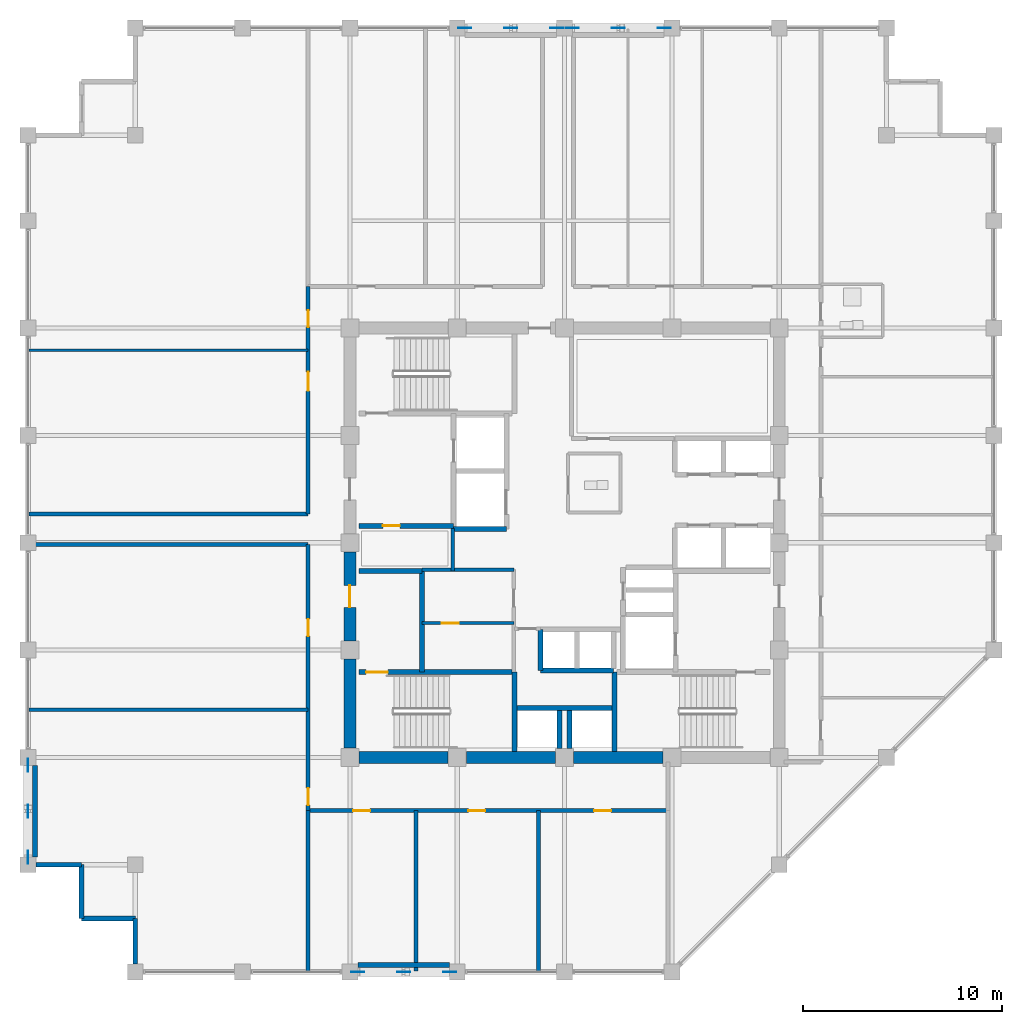
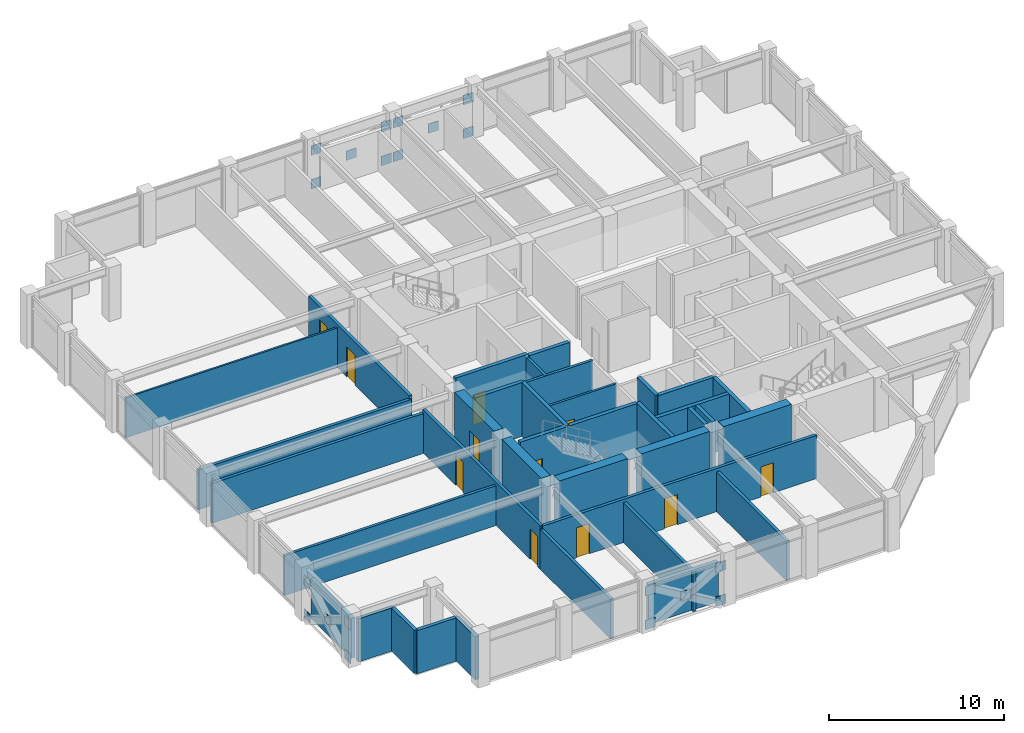
# One storey, part 27 of 32: 36 walls, 20 plates, 11 doors, 11 openings.
"""IFC4 building model written with IfcOpenShell, lengths in metres."""

from ifc_helpers import new_model, si_unit, direction, frame, frame_2d, origin, origin_2d, place, context, subcontext, project, spatial, rectangle, extrude, material, layer, layer_set, type_object, element, fill, save


model = new_model("IFC4")

# Units and contexts
model_context = context("Model", 3, precision=1e-05, world=origin(), true_north=direction((0.0, 1.0)))
body_context = subcontext(model_context, "Body", "Model", "MODEL_VIEW")
ifc_project = project(units=[si_unit("LENGTHUNIT", "METRE"), si_unit("AREAUNIT", "SQUARE_METRE"), si_unit("VOLUMEUNIT", "CUBIC_METRE"), si_unit("PLANEANGLEUNIT", "RADIAN"), si_unit("MASSUNIT", "GRAM", prefix="KILO")], contexts=[model_context])

# Site, building, storey
site_placement = place(None, origin())
site = spatial("IfcSite", under=ifc_project, at=site_placement, CompositionType="ELEMENT")
building_placement = place(site_placement, origin())
building = spatial("IfcBuilding", under=site, at=building_placement, Name="Surkhivell Harbour Commons", CompositionType="ELEMENT")
storey_placement = place(building_placement, frame((0.0, 0.0, 223.5)))
storey = spatial("IfcBuildingStorey", under=building, at=storey_placement, Name="L58", CompositionType="ELEMENT", Elevation=223.5)

# Plates
ifc_material_1 = material(Name="Steel S460", Category="steel")
ifc_layer_1 = layer(ifc_material_1, 0.044921875)
ifc_layer_set_1 = layer_set([ifc_layer_1], Name="Steel S460")
plate_type = type_object("IfcPlateType", Name="PLT-GUS-650", PredefinedType="USERDEFINED", material=ifc_layer_set_1)
for number, where, z_axis, x_axis, name in (
    (1, (-5.014892578125, 25.89990234375, -0.08935546875), (0.0, 0.0, 1.0), (1.0, 0.0, 0.0), "L58 Perimeter Mega-Brace MB- Corner Gusset N-1"),
    (2, (-0.385009765625, 25.89990234375, -0.08935546875), (0.0, 0.0, 1.0), (1.0, 0.0, 0.0), "L58 Perimeter Mega-Brace MB- Corner Gusset N-2"),
    (3, (-5.014892578125, 25.89990234375, 2.25146484375), (0.0, 0.0, 1.0), (1.0, 0.0, 0.0), "L58 Perimeter Mega-Brace MB- Corner Gusset N-3"),
    (4, (-0.385009765625, 25.89990234375, 2.25146484375), (0.0, 0.0, 1.0), (1.0, 0.0, 0.0), "L58 Perimeter Mega-Brace MB- Corner Gusset N-4"),
    (5, (-2.699951171875, 25.89990234375, 1.0810546875), (0.0, 0.0, 1.0), (1.0, 0.0, 0.0), "L58 Perimeter Mega-Brace MB- Central Crossing Gusset N"),
    (6, (0.385009765625, 25.89990234375, -0.08935546875), (0.0, 0.0, 1.0), (1.0, 0.0, 0.0), "L58 Perimeter Mega-Brace MB- Corner Gusset N2-1"),
    (7, (5.014892578125, 25.89990234375, -0.08935546875), (0.0, 0.0, 1.0), (1.0, 0.0, 0.0), "L58 Perimeter Mega-Brace MB- Corner Gusset N2-2"),
    (8, (0.385009765625, 25.89990234375, 2.25146484375), (0.0, 0.0, 1.0), (1.0, 0.0, 0.0), "L58 Perimeter Mega-Brace MB- Corner Gusset N2-3"),
    (9, (5.014892578125, 25.89990234375, 2.25146484375), (0.0, 0.0, 1.0), (1.0, 0.0, 0.0), "L58 Perimeter Mega-Brace MB- Corner Gusset N2-4"),
    (10, (2.699951171875, 25.89990234375, 1.0810546875), (0.0, 0.0, 1.0), (1.0, 0.0, 0.0), "L58 Perimeter Mega-Brace MB- Central Crossing Gusset N2"),
    (11, (-10.4150390625, -21.60009765625, -0.08935546875), (0.0, 0.0, 1.0), (1.0, 0.0, 0.0), "L58 Perimeter Mega-Brace MB- Corner Gusset S-1"),
    (12, (-5.784912109375, -21.60009765625, -0.08935546875), (0.0, 0.0, 1.0), (1.0, 0.0, 0.0), "L58 Perimeter Mega-Brace MB- Corner Gusset S-2"),
    (13, (-10.4150390625, -21.60009765625, 2.25146484375), (0.0, 0.0, 1.0), (1.0, 0.0, 0.0), "L58 Perimeter Mega-Brace MB- Corner Gusset S-3"),
    (14, (-5.784912109375, -21.60009765625, 2.25146484375), (0.0, 0.0, 1.0), (1.0, 0.0, 0.0), "L58 Perimeter Mega-Brace MB- Corner Gusset S-4"),
    (15, (-8.10009765625, -21.60009765625, 1.0810546875), (0.0, 0.0, 1.0), (1.0, 0.0, 0.0), "L58 Perimeter Mega-Brace MB- Central Crossing Gusset S"),
    (16, (-27.0, -15.81494140625, -0.08935546875), (0.0, 0.0, 1.0), (0.0, 1.0, 0.0), "L58 Perimeter Mega-Brace MB- Corner Gusset W-1"),
    (17, (-27.0, -11.18505859375, -0.08935546875), (0.0, 0.0, 1.0), (0.0, 1.0, 0.0), "L58 Perimeter Mega-Brace MB- Corner Gusset W-2"),
    (18, (-27.0, -15.81494140625, 2.25146484375), (0.0, 0.0, 1.0), (0.0, 1.0, 0.0), "L58 Perimeter Mega-Brace MB- Corner Gusset W-3"),
    (19, (-27.0, -11.18505859375, 2.25146484375), (0.0, 0.0, 1.0), (0.0, 1.0, 0.0), "L58 Perimeter Mega-Brace MB- Corner Gusset W-4"),
    (20, (-27.0, -13.5, 1.0810546875), (0.0, 0.0, 1.0), (0.0, 1.0, 0.0), "L58 Perimeter Mega-Brace MB- Central Crossing Gusset W"),
):
    element("IfcPlate", number, at=place(storey_placement, frame(where, z_axis=z_axis, x_axis=x_axis)), inside=storey, type_object=plate_type, Name=name, ObjectType="GUSSET_PLATE", PredefinedType="USERDEFINED", context=body_context, shape_type="SweptSolid", body=[
        extrude(rectangle(XDim=0.64990234375, YDim=0.044921875, at=origin_2d()), origin(), (0.0, 0.0, 1.0), 0.64990234375),
    ])

# Walls
ifc_material_2 = material(Name="Concrete C60/75", Category="concrete")
ifc_layer_2 = layer(ifc_material_2, 0.60009765625)
ifc_layer_set_2 = layer_set([ifc_layer_2], Name="Concrete C60/75")
wall_type_1 = type_object("IfcWallType", Name="WAL-CORE-600", PredefinedType="SHEAR", material=ifc_layer_set_2)
for number, where, z_axis, x_axis, name in (
    (21, (-10.340087890625, -10.800048828125, 0.0), (0.0, 0.0, 1.0), (1.0, 0.0, 0.0), "L58 Core Shear Wall South 1"),
    (22, (-10.800048828125, -10.340087890625, 0.0), (0.0, 0.0, 1.0), (0.0, 1.0, 0.0), "L58 Core Shear Wall West 1"),
    (23, (-4.93994140625, -10.800048828125, 0.0), (0.0, 0.0, 1.0), (1.0, 0.0, 0.0), "L58 Core Shear Wall South 2"),
):
    element("IfcWall", number, at=place(storey_placement, frame(where, z_axis=z_axis, x_axis=x_axis)), inside=storey, type_object=wall_type_1, Name=name, PredefinedType="SHEAR", context=body_context, shape_type="SweptSolid", body=[
        extrude(rectangle(XDim=4.47998046875, YDim=0.60009765625, at=frame_2d((2.239990234375, 0.0))), origin(), (0.0, 0.0, 1.0), 3.75),
    ])

# Wall, opening, door
wall_1_placement = place(storey_placement, frame((-10.800048828125, -4.93994140625, 0.0), z_axis=(0.0, 0.0, 1.0), x_axis=(0.0, 1.0, 0.0)))
wall_1 = element("IfcWall", 24, at=wall_1_placement, inside=storey, type_object=wall_type_1, Name="L58 Core Shear Wall West 2", PredefinedType="SHEAR", context=body_context, shape_type="SweptSolid", body=[
    extrude(rectangle(XDim=4.47998046875, YDim=0.60009765625, at=frame_2d((2.239990234375, 0.0))), origin(), (0.0, 0.0, 1.0), 3.75),
])
opening_1_placement = place(wall_1_placement, frame((1.68994140625, 0.0, 0.0)))
opening_1 = element("IfcOpeningElement", 25, at=opening_1_placement, cuts=wall_1, Name="Opening ID-2", PredefinedType="OPENING", context=body_context, shape_type="SweptSolid", body=[
    extrude(rectangle(XDim=1.10009765625, YDim=2.10009765625, at=frame_2d((0.550048828125, 1.050048828125))), frame((0.0, 0.31005859375, 0.0), z_axis=(0.0, -1.0, 0.0), x_axis=(1.0, 0.0, 0.0)), (0.0, 0.0, 1.0), 0.6201171875),
])
ifc_material_3 = material(Name="Hardwood-veneered fire-rated door leaf", Category="wood")
door_type_1 = type_object("IfcDoorType", Name="DOR-FD60-1100", OperationType="NOTDEFINED", PredefinedType="DOOR", material=ifc_material_3)
door_1_placement = place(opening_1_placement, origin())
door_1 = element("IfcDoor", 26, at=door_1_placement, inside=storey, type_object=door_type_1, Name="L58 Stair 3 Lobby Corridor Door", OperationType="SINGLE_SWING_LEFT", OverallHeight=2.10009765625, OverallWidth=1.10009765625, PredefinedType="DOOR", context=body_context, shape_type="SweptSolid", body=[
    extrude(rectangle(XDim=1.10009765625, YDim=2.10009765625, at=frame_2d((0.550048828125, 1.050048828125))), frame((0.0, 0.02490234375, 0.0), z_axis=(0.0, -1.0, 0.0), x_axis=(1.0, 0.0, 0.0)), (0.0, 0.0, 1.0), 0.050048828125),
])
fill(opening_1, door_1)

# Walls
wall_2_placement = place(storey_placement, frame((0.4599609375, -10.800048828125, 0.0), z_axis=(0.0, 0.0, 1.0), x_axis=(1.0, 0.0, 0.0)))
element("IfcWall", 27, at=wall_2_placement, inside=storey, type_object=wall_type_1, Name="L58 Core Shear Wall South 3", PredefinedType="SHEAR", context=body_context, shape_type="SweptSolid", body=[
    extrude(rectangle(XDim=4.47998046875, YDim=0.60009765625, at=frame_2d((2.239990234375, 0.0))), origin(), (0.0, 0.0, 1.0), 3.75),
])
ifc_material_4 = material(Name="Pale-metal insulated precast concrete C45/55", Category="concrete")
ifc_layer_3 = layer(ifc_material_4, 0.260009765625)
ifc_layer_set_3 = layer_set([ifc_layer_3], Name="Pale-metal insulated precast concrete C45/55")
wall_type_2 = type_object("IfcWallType", Name="WAL-EXT-MTL260", PredefinedType="STANDARD", material=ifc_layer_set_3)
for number, where, z_axis, x_axis, name in (
    (28, (-10.402099609375, -21.239990234375, 0.0), (0.0, 0.0, 1.0), (1.0, 0.0, 0.0), "L58 Braced-Bay Insulated Spandrel Backing S"),
    (29, (-26.639892578125, -11.197998046875, 0.0), (0.0, 0.0, 1.0), (0.0, -1.0, 0.0), "L58 Braced-Bay Insulated Spandrel Backing W"),
):
    element("IfcWall", number, at=place(storey_placement, frame(where, z_axis=z_axis, x_axis=x_axis)), inside=storey, type_object=wall_type_2, Name=name, PredefinedType="STANDARD", context=body_context, shape_type="SweptSolid", body=[
        extrude(rectangle(XDim=4.60400390625, YDim=0.260009765625, at=frame_2d((2.302001953125, 0.0))), origin(), (0.0, 0.0, 1.0), 2.780029296875),
    ])
ifc_material_5 = material(Name="Bronze-ochre cassette precast concrete C45/55", Category="concrete")
ifc_layer_4 = layer(ifc_material_5, 0.239990234375)
ifc_layer_set_4 = layer_set([ifc_layer_4], Name="Bronze-ochre cassette precast concrete C45/55")
wall_type_3 = type_object("IfcWallType", Name="WAL-EXT-OCH240", PredefinedType="STANDARD", material=ifc_layer_set_4)
wall_3_placement = place(storey_placement, frame((-26.60205078125, -16.199951171875, 0.0), z_axis=(0.0, 0.0, 1.0), x_axis=(1.0, 0.0, 0.0)))
element("IfcWall", 30, at=wall_3_placement, inside=storey, type_object=wall_type_3, Name="L58 Serrated Corner Facade Wall 13", PredefinedType="STANDARD", context=body_context, shape_type="SweptSolid", body=[
    extrude(rectangle(XDim=2.302001953125, YDim=0.239990234375, at=frame_2d((1.15087890625, 0.0))), origin(), (0.0, 0.0, 1.0), 3.006103515625),
])
for number, where, z_axis, x_axis, name in (
    (31, (-24.300048828125, -16.199951171875, 0.0), (0.0, 0.0, 1.0), (0.0, -1.0, 0.0), "L58 Serrated Corner Facade Wall 14"),
    (32, (-24.300048828125, -18.89990234375, 0.0), (0.0, 0.0, 1.0), (1.0, 0.0, 0.0), "L58 Serrated Corner Facade Wall 15"),
):
    element("IfcWall", number, at=place(storey_placement, frame(where, z_axis=z_axis, x_axis=x_axis)), inside=storey, type_object=wall_type_3, Name=name, PredefinedType="STANDARD", context=body_context, shape_type="SweptSolid", body=[
        extrude(rectangle(XDim=2.699951171875, YDim=0.239990234375, at=frame_2d((1.35009765625, 0.0))), origin(), (0.0, 0.0, 1.0), 3.006103515625),
    ])
wall_4_placement = place(storey_placement, frame((-21.60009765625, -18.89990234375, 0.0), z_axis=(0.0, 0.0, 1.0), x_axis=(0.0, -1.0, 0.0)))
element("IfcWall", 33, at=wall_4_placement, inside=storey, type_object=wall_type_3, Name="L58 Serrated Corner Facade Wall 16", PredefinedType="STANDARD", context=body_context, shape_type="SweptSolid", body=[
    extrude(rectangle(XDim=2.302001953125, YDim=0.239990234375, at=frame_2d((1.15087890625, 0.0))), origin(), (0.0, 0.0, 1.0), 3.006103515625),
])
ifc_material_6 = material(Name="Moisture-resistant acoustic stud partition", Category="other")
ifc_layer_5 = layer(ifc_material_6, 0.125)
ifc_layer_set_5 = layer_set([ifc_layer_5], Name="Moisture-resistant acoustic stud partition")
wall_type_4 = type_object("IfcWallType", Name="WAL-INT-125", PredefinedType="PARTITIONING", material=ifc_layer_set_5)
wall_5_placement = place(storey_placement, frame((-26.93994140625, 9.68994140625, 0.0), z_axis=(0.0, 0.0, 1.0), x_axis=(1.0, 0.0, 0.0)))
element("IfcWall", 34, at=wall_5_placement, inside=storey, type_object=wall_type_4, Name="L58 North-West Partition P1", PredefinedType="PARTITIONING", context=body_context, shape_type="SweptSolid", body=[
    extrude(rectangle(XDim=14.0400390625, YDim=0.125, at=frame_2d((7.02001953125, 0.0))), origin(), (0.0, 0.0, 1.0), 2.780029296875),
])

# Wall, opening, door
ifc_material_7 = material(Name="Twin-stud acoustic fireboard partition", Category="other")
ifc_layer_6 = layer(ifc_material_7, 0.14990234375)
ifc_layer_set_6 = layer_set([ifc_layer_6], Name="Twin-stud acoustic fireboard partition")
wall_type_5 = type_object("IfcWallType", Name="WAL-INT-150", PredefinedType="PARTITIONING", material=ifc_layer_set_6)
wall_6_placement = place(storey_placement, frame((-7.179931640625, -4.050048828125, 0.0), z_axis=(0.0, 0.0, 1.0), x_axis=(1.0, 0.0, 0.0)))
wall_6 = element("IfcWall", 35, at=wall_6_placement, inside=storey, type_object=wall_type_5, Name="L58 Core Cut A Partition", PredefinedType="PARTITIONING", context=body_context, shape_type="SweptSolid", body=[
    extrude(rectangle(XDim=4.6298828125, YDim=0.14990234375, at=frame_2d((2.31494140625, 0.0))), origin(), (0.0, 0.0, 1.0), 3.570068359375),
])
opening_2_placement = place(wall_6_placement, frame((1.0, 0.0, 0.0)))
opening_2 = element("IfcOpeningElement", 36, at=opening_2_placement, cuts=wall_6, Name="Opening ID-6", PredefinedType="OPENING", context=body_context, shape_type="SweptSolid", body=[
    extrude(rectangle(XDim=0.85009765625, YDim=2.10009765625, at=frame_2d((0.425048828125, 1.050048828125))), frame((0.0, 0.0849609375, 0.0), z_axis=(0.0, -1.0, 0.0), x_axis=(1.0, 0.0, 0.0)), (0.0, 0.0, 1.0), 0.169921875),
])
door_type_2 = type_object("IfcDoorType", Name="DOR-FD30-850", OperationType="NOTDEFINED", PredefinedType="DOOR", material=ifc_material_3)
door_2_placement = place(opening_2_placement, origin())
door_2 = element("IfcDoor", 37, at=door_2_placement, inside=storey, type_object=door_type_2, Name="L58 Linen Room Door", OperationType="SINGLE_SWING_RIGHT", OverallHeight=2.10009765625, OverallWidth=0.85009765625, PredefinedType="DOOR", context=body_context, shape_type="SweptSolid", body=[
    extrude(rectangle(XDim=0.85009765625, YDim=2.10009765625, at=frame_2d((0.425048828125, 1.050048828125))), frame((0.0, 0.02490234375, 0.0), z_axis=(0.0, -1.0, 0.0), x_axis=(1.0, 0.0, 0.0)), (0.0, 0.0, 1.0), 0.050048828125),
])
fill(opening_2, door_2)

# Walls
ifc_material_8 = material(Name="High-density acoustic blockwork fire partition", Category="masonry")
ifc_layer_7 = layer(ifc_material_8, 0.175048828125)
ifc_layer_set_7 = layer_set([ifc_layer_7], Name="High-density acoustic blockwork fire partition")
wall_type_6 = type_object("IfcWallType", Name="WAL-INT-175", PredefinedType="PARTITIONING", material=ifc_layer_set_7)
wall_7_placement = place(storey_placement, frame((-7.179931640625, -1.35009765625, 0.0), z_axis=(0.0, 0.0, 1.0), x_axis=(1.0, 0.0, 0.0)))
element("IfcWall", 38, at=wall_7_placement, inside=storey, type_object=wall_type_6, Name="L58 Core Service Bay North Wall", PredefinedType="PARTITIONING", context=body_context, shape_type="SweptSolid", body=[
    extrude(rectangle(XDim=4.6298828125, YDim=0.175048828125, at=frame_2d((2.31494140625, 0.0))), origin(), (0.0, 0.0, 1.0), 3.570068359375),
])
wall_8_placement = place(storey_placement, frame((-5.6201171875, -1.419921875, 0.0), z_axis=(0.0, 0.0, 1.0), x_axis=(0.0, 1.0, 0.0)))
element("IfcWall", 39, at=wall_8_placement, inside=storey, type_object=wall_type_6, Name="L58 West Core Bay East Wall", PredefinedType="PARTITIONING", context=body_context, shape_type="SweptSolid", body=[
    extrude(rectangle(XDim=2.139892578125, YDim=0.175048828125, at=frame_2d((1.06982421875, 0.0))), origin(), (0.0, 0.0, 1.0), 3.570068359375),
])
wall_9_placement = place(storey_placement, frame((-26.93994140625, -8.39990234375, 0.0), z_axis=(0.0, 0.0, 1.0), x_axis=(1.0, 0.0, 0.0)))
element("IfcWall", 40, at=wall_9_placement, inside=storey, type_object=wall_type_6, Name="L58 South-West Partition P1", PredefinedType="PARTITIONING", context=body_context, shape_type="SweptSolid", body=[
    extrude(rectangle(XDim=14.0400390625, YDim=0.175048828125, at=frame_2d((7.02001953125, 0.0))), origin(), (0.0, 0.0, 1.0), 2.780029296875),
])
ifc_material_9 = material(Name="Autoclaved aerated concrete blockwork and fire plaster", Category="masonry")
ifc_layer_8 = layer(ifc_material_9, 0.199951171875)
ifc_layer_set_8 = layer_set([ifc_layer_8], Name="Autoclaved aerated concrete blockwork and fire plaster")
wall_type_7 = type_object("IfcWallType", Name="WAL-INT-200", PredefinedType="PARTITIONING", material=ifc_layer_set_8)
wall_10_placement = place(storey_placement, frame((-12.89990234375, -21.5400390625, 0.0), z_axis=(0.0, 0.0, 1.0), x_axis=(0.0, 1.0, 0.0)))
element("IfcWall", 41, at=wall_10_placement, inside=storey, type_object=wall_type_7, Name="L58 South-West Corner Wall", PredefinedType="PARTITIONING", context=body_context, shape_type="SweptSolid", body=[
    extrude(rectangle(XDim=8.06005859375, YDim=0.199951171875, at=frame_2d((4.030029296875, 0.0))), origin(), (0.0, 0.0, 1.0), 2.780029296875),
])

# Wall, openings, doors
wall_11_placement = place(storey_placement, frame((-12.89990234375, -13.47998046875, 0.0), z_axis=(0.0, 0.0, 1.0), x_axis=(1.0, 0.0, 0.0)))
wall_11 = element("IfcWall", 42, at=wall_11_placement, inside=storey, type_object=wall_type_7, Name="L58 Corridor South Wall", PredefinedType="PARTITIONING", context=body_context, shape_type="SweptSolid", body=[
    extrude(rectangle(XDim=18.099853515625, YDim=0.199951171875, at=frame_2d((9.0498046875, 0.0))), origin(), (0.0, 0.0, 1.0), 3.006103515625),
])
opening_3_placement = place(wall_11_placement, frame((2.264892578125, 0.0, 0.0)))
opening_3 = element("IfcOpeningElement", 43, at=opening_3_placement, cuts=wall_11, Name="Opening ID-6", PredefinedType="OPENING", context=body_context, shape_type="SweptSolid", body=[
    extrude(rectangle(XDim=0.85009765625, YDim=2.10009765625, at=frame_2d((0.425048828125, 1.050048828125))), frame((0.0, 0.10986328125, 0.0), z_axis=(0.0, -1.0, 0.0), x_axis=(1.0, 0.0, 0.0)), (0.0, 0.0, 1.0), 0.219970703125),
])
opening_4_placement = place(wall_11_placement, frame((8.054931640625, 0.0, 0.0)))
opening_4 = element("IfcOpeningElement", 44, at=opening_4_placement, cuts=wall_11, Name="Opening ID-6", PredefinedType="OPENING", context=body_context, shape_type="SweptSolid", body=[
    extrude(rectangle(XDim=0.85009765625, YDim=2.10009765625, at=frame_2d((0.425048828125, 1.050048828125))), frame((0.0, 0.10986328125, 0.0), z_axis=(0.0, -1.0, 0.0), x_axis=(1.0, 0.0, 0.0)), (0.0, 0.0, 1.0), 0.219970703125),
])
opening_5_placement = place(wall_11_placement, frame((14.389892578125, 0.0, 0.0)))
opening_5 = element("IfcOpeningElement", 45, at=opening_5_placement, cuts=wall_11, Name="Opening ID-6", PredefinedType="OPENING", context=body_context, shape_type="SweptSolid", body=[
    extrude(rectangle(XDim=0.85009765625, YDim=2.10009765625, at=frame_2d((0.425048828125, 1.050048828125))), frame((0.0, 0.10986328125, 0.0), z_axis=(0.0, -1.0, 0.0), x_axis=(1.0, 0.0, 0.0)), (0.0, 0.0, 1.0), 0.219970703125),
])
door_3_placement = place(opening_3_placement, origin())
door_3 = element("IfcDoor", 46, at=door_3_placement, inside=storey, type_object=door_type_2, Name="L58 Resident Tutor Staff Room 1 South Door", OperationType="SINGLE_SWING_RIGHT", OverallHeight=2.10009765625, OverallWidth=0.85009765625, PredefinedType="DOOR", context=body_context, shape_type="SweptSolid", body=[
    extrude(rectangle(XDim=0.85009765625, YDim=2.10009765625, at=frame_2d((0.425048828125, 1.050048828125))), frame((0.0, 0.02490234375, 0.0), z_axis=(0.0, -1.0, 0.0), x_axis=(1.0, 0.0, 0.0)), (0.0, 0.0, 1.0), 0.050048828125),
])
fill(opening_3, door_3)
door_4_placement = place(opening_4_placement, origin())
door_4 = element("IfcDoor", 47, at=door_4_placement, inside=storey, type_object=door_type_2, Name="L58 Resident Warden Staff Office 2 South Door", OperationType="SINGLE_SWING_LEFT", OverallHeight=2.10009765625, OverallWidth=0.85009765625, PredefinedType="DOOR", context=body_context, shape_type="SweptSolid", body=[
    extrude(rectangle(XDim=0.85009765625, YDim=2.10009765625, at=frame_2d((0.425048828125, 1.050048828125))), frame((0.0, 0.02490234375, 0.0), z_axis=(0.0, -1.0, 0.0), x_axis=(1.0, 0.0, 0.0)), (0.0, 0.0, 1.0), 0.050048828125),
])
fill(opening_4, door_4)
door_5_placement = place(opening_5_placement, origin())
door_5 = element("IfcDoor", 48, at=door_5_placement, inside=storey, type_object=door_type_2, Name="L58 Campus Bursar Staff Office 3 South Door", OperationType="SINGLE_SWING_RIGHT", OverallHeight=2.10009765625, OverallWidth=0.85009765625, PredefinedType="DOOR", context=body_context, shape_type="SweptSolid", body=[
    extrude(rectangle(XDim=0.85009765625, YDim=2.10009765625, at=frame_2d((0.425048828125, 1.050048828125))), frame((0.0, 0.02490234375, 0.0), z_axis=(0.0, -1.0, 0.0), x_axis=(1.0, 0.0, 0.0)), (0.0, 0.0, 1.0), 0.050048828125),
])
fill(opening_5, door_5)

# Walls
for number, where, z_axis, x_axis, name in (
    (49, (-26.93994140625, 1.449951171875, 0.0), (0.0, 0.0, 1.0), (1.0, 0.0, 0.0), "L58 West Spur North Wall"),
    (50, (-26.93994140625, -0.10009765625, 0.0), (0.0, 0.0, 1.0), (1.0, 0.0, 0.0), "L58 West Spur South Wall"),
):
    element("IfcWall", number, at=place(storey_placement, frame(where, z_axis=z_axis, x_axis=x_axis)), inside=storey, type_object=wall_type_7, Name=name, PredefinedType="PARTITIONING", context=body_context, shape_type="SweptSolid", body=[
        extrude(rectangle(XDim=14.0400390625, YDim=0.199951171875, at=frame_2d((7.02001953125, 0.0))), origin(), (0.0, 0.0, 1.0), 2.780029296875),
    ])

# Wall, openings, doors
wall_12_placement = place(storey_placement, frame((-12.89990234375, 1.449951171875, 0.0), z_axis=(0.0, 0.0, 1.0), x_axis=(0.0, 1.0, 0.0)))
wall_12 = element("IfcWall", 51, at=wall_12_placement, inside=storey, type_object=wall_type_7, Name="L58 Corridor West-Upper Wall", PredefinedType="PARTITIONING", context=body_context, shape_type="SweptSolid", body=[
    extrude(rectangle(XDim=11.449951171875, YDim=0.199951171875, at=frame_2d((5.72509765625, 0.0))), origin(), (0.0, 0.0, 1.0), 3.006103515625),
])
opening_6_placement = place(wall_12_placement, frame((6.194091796875, 0.0, 0.0)))
opening_6 = element("IfcOpeningElement", 52, at=opening_6_placement, cuts=wall_12, Name="Opening ID-4", PredefinedType="OPENING", context=body_context, shape_type="SweptSolid", body=[
    extrude(rectangle(XDim=0.949951171875, YDim=2.10009765625, at=frame_2d((0.47509765625, 1.050048828125))), frame((0.0, 0.10986328125, 0.0), z_axis=(0.0, -1.0, 0.0), x_axis=(1.0, 0.0, 0.0)), (0.0, 0.0, 1.0), 0.219970703125),
])
opening_7_placement = place(wall_12_placement, frame((9.39501953125, 0.0, 0.0)))
opening_7 = element("IfcOpeningElement", 53, at=opening_7_placement, cuts=wall_12, Name="Opening ID-6", PredefinedType="OPENING", context=body_context, shape_type="SweptSolid", body=[
    extrude(rectangle(XDim=0.85009765625, YDim=2.10009765625, at=frame_2d((0.425048828125, 1.050048828125))), frame((0.0, 0.10986328125, 0.0), z_axis=(0.0, -1.0, 0.0), x_axis=(1.0, 0.0, 0.0)), (0.0, 0.0, 1.0), 0.219970703125),
])
door_6_placement = place(opening_7_placement, origin())
door_6 = element("IfcDoor", 54, at=door_6_placement, inside=storey, type_object=door_type_2, Name="L58 Resident Advisory Reception Desk North-West Door", OperationType="SINGLE_SWING_LEFT", OverallHeight=2.10009765625, OverallWidth=0.85009765625, PredefinedType="DOOR", context=body_context, shape_type="SweptSolid", body=[
    extrude(rectangle(XDim=0.85009765625, YDim=2.10009765625, at=frame_2d((0.425048828125, 1.050048828125))), frame((0.0, 0.02490234375, 0.0), z_axis=(0.0, -1.0, 0.0), x_axis=(1.0, 0.0, 0.0)), (0.0, 0.0, 1.0), 0.050048828125),
])
fill(opening_7, door_6)
door_type_3 = type_object("IfcDoorType", Name="DOR-FD60-950", OperationType="NOTDEFINED", PredefinedType="DOOR", material=ifc_material_3)
door_7_placement = place(opening_6_placement, origin())
door_7 = element("IfcDoor", 55, at=door_7_placement, inside=storey, type_object=door_type_3, Name="L58 Zone Concierge Reception Foyer North-West Door", OperationType="SINGLE_SWING_RIGHT", OverallHeight=2.10009765625, OverallWidth=0.949951171875, PredefinedType="DOOR", context=body_context, shape_type="SweptSolid", body=[
    extrude(rectangle(XDim=0.949951171875, YDim=2.10009765625, at=frame_2d((0.47509765625, 1.050048828125))), frame((0.0, 0.02490234375, 0.0), z_axis=(0.0, -1.0, 0.0), x_axis=(1.0, 0.0, 0.0)), (0.0, 0.0, 1.0), 0.050048828125),
])
fill(opening_6, door_7)

wall_13_placement = place(storey_placement, frame((-12.89990234375, -13.47998046875, 0.0), z_axis=(0.0, 0.0, 1.0), x_axis=(0.0, 1.0, 0.0)))
wall_13 = element("IfcWall", 56, at=wall_13_placement, inside=storey, type_object=wall_type_7, Name="L58 Corridor West-Lower Wall", PredefinedType="PARTITIONING", context=body_context, shape_type="SweptSolid", body=[
    extrude(rectangle(XDim=13.3798828125, YDim=0.199951171875, at=frame_2d((6.68994140625, 0.0))), origin(), (0.0, 0.0, 1.0), 3.006103515625),
])
opening_8_placement = place(wall_13_placement, frame((0.280029296875, 0.0, 0.0)))
opening_8 = element("IfcOpeningElement", 57, at=opening_8_placement, cuts=wall_13, Name="Opening ID-6", PredefinedType="OPENING", context=body_context, shape_type="SweptSolid", body=[
    extrude(rectangle(XDim=0.85009765625, YDim=2.10009765625, at=frame_2d((0.425048828125, 1.050048828125))), frame((0.0, 0.10986328125, 0.0), z_axis=(0.0, -1.0, 0.0), x_axis=(1.0, 0.0, 0.0)), (0.0, 0.0, 1.0), 0.219970703125),
])
opening_9_placement = place(wall_13_placement, frame((8.780029296875, 0.0, 0.0)))
opening_9 = element("IfcOpeningElement", 58, at=opening_9_placement, cuts=wall_13, Name="Opening ID-6", PredefinedType="OPENING", context=body_context, shape_type="SweptSolid", body=[
    extrude(rectangle(XDim=0.85009765625, YDim=2.10009765625, at=frame_2d((0.425048828125, 1.050048828125))), frame((0.0, 0.10986328125, 0.0), z_axis=(0.0, -1.0, 0.0), x_axis=(1.0, 0.0, 0.0)), (0.0, 0.0, 1.0), 0.219970703125),
])
door_8_placement = place(opening_8_placement, origin())
door_8 = element("IfcDoor", 59, at=door_8_placement, inside=storey, type_object=door_type_2, Name="L58 Harbour Reading Library South-West Door", OperationType="SINGLE_SWING_RIGHT", OverallHeight=2.10009765625, OverallWidth=0.85009765625, PredefinedType="DOOR", context=body_context, shape_type="SweptSolid", body=[
    extrude(rectangle(XDim=0.85009765625, YDim=2.10009765625, at=frame_2d((0.425048828125, 1.050048828125))), frame((0.0, 0.02490234375, 0.0), z_axis=(0.0, -1.0, 0.0), x_axis=(1.0, 0.0, 0.0)), (0.0, 0.0, 1.0), 0.050048828125),
])
fill(opening_8, door_8)
door_9_placement = place(opening_9_placement, origin())
door_9 = element("IfcDoor", 60, at=door_9_placement, inside=storey, type_object=door_type_2, Name="L58 Communal Dining Hall South-West Door", OperationType="SINGLE_SWING_LEFT", OverallHeight=2.10009765625, OverallWidth=0.85009765625, PredefinedType="DOOR", context=body_context, shape_type="SweptSolid", body=[
    extrude(rectangle(XDim=0.85009765625, YDim=2.10009765625, at=frame_2d((0.425048828125, 1.050048828125))), frame((0.0, 0.02490234375, 0.0), z_axis=(0.0, -1.0, 0.0), x_axis=(1.0, 0.0, 0.0)), (0.0, 0.0, 1.0), 0.050048828125),
])
fill(opening_9, door_9)

# Walls
for number, where, z_axis, x_axis, name in (
    (61, (-7.469970703125, -21.5400390625, 0.0), (0.0, 0.0, 1.0), (0.0, 1.0, 0.0), "L58 South Partition P1"),
    (62, (-1.320068359375, -21.5400390625, 0.0), (0.0, 0.0, 1.0), (0.0, 1.0, 0.0), "L58 South Partition P2"),
):
    element("IfcWall", number, at=place(storey_placement, frame(where, z_axis=z_axis, x_axis=x_axis)), inside=storey, type_object=wall_type_7, Name=name, PredefinedType="PARTITIONING", context=body_context, shape_type="SweptSolid", body=[
        extrude(rectangle(XDim=8.06005859375, YDim=0.199951171875, at=frame_2d((4.030029296875, 0.0))), origin(), (0.0, 0.0, 1.0), 2.780029296875),
    ])

# Wall, opening, door
ifc_material_10 = material(Name="Concrete C50/60", Category="concrete")
ifc_layer_9 = layer(ifc_material_10, 0.25)
ifc_layer_set_9 = layer_set([ifc_layer_9], Name="Concrete C50/60")
wall_type_8 = type_object("IfcWallType", Name="WAL-SHAFT-250", PredefinedType="SHEAR", material=ifc_layer_set_9)
wall_14_placement = place(storey_placement, frame((-10.340087890625, 0.85009765625, 0.0), z_axis=(0.0, 0.0, 1.0), x_axis=(1.0, 0.0, 0.0)))
wall_14 = element("IfcWall", 63, at=wall_14_placement, inside=storey, type_object=wall_type_8, Name="L58 Firefighting Lobby 1 South Wall", PredefinedType="SHEAR", context=body_context, shape_type="SweptSolid", body=[
    extrude(rectangle(XDim=4.760009765625, YDim=0.25, at=frame_2d((2.3798828125, 0.0))), origin(), (0.0, 0.0, 1.0), 3.75),
])
opening_10_placement = place(wall_14_placement, frame((1.199951171875, 0.0, 0.0)))
opening_10 = element("IfcOpeningElement", 64, at=opening_10_placement, cuts=wall_14, Name="Opening ID-6", PredefinedType="OPENING", context=body_context, shape_type="SweptSolid", body=[
    extrude(rectangle(XDim=0.85009765625, YDim=2.10009765625, at=frame_2d((0.425048828125, 1.050048828125))), frame((0.0, 0.135009765625, 0.0), z_axis=(0.0, -1.0, 0.0), x_axis=(1.0, 0.0, 0.0)), (0.0, 0.0, 1.0), 0.27001953125),
])
door_10_placement = place(opening_10_placement, origin())
door_10 = element("IfcDoor", 65, at=door_10_placement, inside=storey, type_object=door_type_2, Name="L58 West Quiet Study Door", OperationType="SINGLE_SWING_RIGHT", OverallHeight=2.10009765625, OverallWidth=0.85009765625, PredefinedType="DOOR", context=body_context, shape_type="SweptSolid", body=[
    extrude(rectangle(XDim=0.85009765625, YDim=2.10009765625, at=frame_2d((0.425048828125, 1.050048828125))), frame((0.0, 0.02490234375, 0.0), z_axis=(0.0, -1.0, 0.0), x_axis=(1.0, 0.0, 0.0)), (0.0, 0.0, 1.0), 0.050048828125),
])
fill(opening_10, door_10)

# Walls
for number, where, z_axis, x_axis, name in (
    (66, (-0.25, -10.35009765625, 0.0), (0.0, 0.0, 1.0), (0.0, 1.0, 0.0), "L58 High-Rise Side Wall S"),
    (67, (0.25, -10.35009765625, 0.0), (0.0, 0.0, 1.0), (0.0, 1.0, 0.0), "L58 High-Rise Side Wall S"),
):
    element("IfcWall", number, at=place(storey_placement, frame(where, z_axis=z_axis, x_axis=x_axis)), inside=storey, type_object=wall_type_8, Name=name, PredefinedType="SHEAR", context=body_context, shape_type="SweptSolid", body=[
        extrude(rectangle(XDim=1.91015625, YDim=0.25, at=frame_2d((0.955078125, 0.0))), origin(), (0.0, 0.0, 1.0), 3.75),
    ])
wall_15_placement = place(storey_placement, frame((-1.219970703125, -6.43994140625, 0.0), z_axis=(0.0, 0.0, 1.0), x_axis=(0.0, 1.0, 0.0)))
element("IfcWall", 68, at=wall_15_placement, inside=storey, type_object=wall_type_8, Name="L58 High-Rise Passage East Shaft Wall", PredefinedType="SHEAR", context=body_context, shape_type="SweptSolid", body=[
    extrude(rectangle(XDim=2.079833984375, YDim=0.25, at=frame_2d((1.0400390625, 0.0))), origin(), (0.0, 0.0, 1.0), 3.75),
])
wall_16_placement = place(storey_placement, frame((-1.219970703125, -6.43994140625, 0.0), z_axis=(0.0, 0.0, 1.0), x_axis=(1.0, 0.0, 0.0)))
element("IfcWall", 69, at=wall_16_placement, inside=storey, type_object=wall_type_8, Name="L58 High-Rise North Front Shaft Wall", PredefinedType="SHEAR", context=body_context, shape_type="SweptSolid", body=[
    extrude(rectangle(XDim=3.669921875, YDim=0.25, at=frame_2d((1.8349609375, 0.0))), origin(), (0.0, 0.0, 1.0), 3.75),
])
wall_17_placement = place(storey_placement, frame((-2.47998046875, -8.320068359375, 0.0), z_axis=(0.0, 0.0, 1.0), x_axis=(1.0, 0.0, 0.0)))
element("IfcWall", 70, at=wall_17_placement, inside=storey, type_object=wall_type_8, Name="L58 High-Rise South Front Shaft Wall", PredefinedType="SHEAR", context=body_context, shape_type="SweptSolid", body=[
    extrude(rectangle(XDim=4.929931640625, YDim=0.25, at=frame_2d((2.46484375, 0.0))), origin(), (0.0, 0.0, 1.0), 3.75),
])
for number, where, z_axis, x_axis, name in (
    (71, (2.510009765625, -10.5, 0.0), (0.0, 0.0, 1.0), (0.0, 1.0, 0.0), "L58 Stair ST2 West Shear Wall"),
    (72, (-2.510009765625, -10.5, 0.0), (0.0, 0.0, 1.0), (0.0, 1.0, 0.0), "L58 Stair ST3 East Shear Wall"),
):
    element("IfcWall", number, at=place(storey_placement, frame(where, z_axis=z_axis, x_axis=x_axis)), inside=storey, type_object=wall_type_8, Name=name, PredefinedType="SHEAR", context=body_context, shape_type="SweptSolid", body=[
        extrude(rectangle(XDim=3.989990234375, YDim=0.25, at=frame_2d((1.9951171875, 0.0))), origin(), (0.0, 0.0, 1.0), 3.75),
    ])
wall_18_placement = place(storey_placement, frame((-7.179931640625, -6.510009765625, 0.0), z_axis=(0.0, 0.0, 1.0), x_axis=(0.0, 1.0, 0.0)))
element("IfcWall", 73, at=wall_18_placement, inside=storey, type_object=wall_type_8, Name="L58 Stair 3 Lobby East Wall", PredefinedType="SHEAR", context=body_context, shape_type="SweptSolid", body=[
    extrude(rectangle(XDim=5.090087890625, YDim=0.25, at=frame_2d((2.544921875, 0.0))), origin(), (0.0, 0.0, 1.0), 3.75),
])
wall_19_placement = place(storey_placement, frame((-10.340087890625, -1.419921875, 0.0), z_axis=(0.0, 0.0, 1.0), x_axis=(1.0, 0.0, 0.0)))
element("IfcWall", 74, at=wall_19_placement, inside=storey, type_object=wall_type_8, Name="L58 Stair 3 Lobby North Wall", PredefinedType="SHEAR", context=body_context, shape_type="SweptSolid", body=[
    extrude(rectangle(XDim=3.16015625, YDim=0.25, at=frame_2d((1.580078125, 0.0))), origin(), (0.0, 0.0, 1.0), 3.75),
])

# Wall, opening, door
wall_20_placement = place(storey_placement, frame((-10.340087890625, -6.510009765625, 0.0), z_axis=(0.0, 0.0, 1.0), x_axis=(1.0, 0.0, 0.0)))
wall_20 = element("IfcWall", 75, at=wall_20_placement, inside=storey, type_object=wall_type_8, Name="L58 Stair ST3 North Shear Wall", PredefinedType="SHEAR", context=body_context, shape_type="SweptSolid", body=[
    extrude(rectangle(XDim=7.7001953125, YDim=0.25, at=frame_2d((3.85009765625, 0.0))), origin(), (0.0, 0.0, 1.0), 3.75),
])
opening_11_placement = place(wall_20_placement, frame((0.35009765625, 0.0, 0.0)))
opening_11 = element("IfcOpeningElement", 76, at=opening_11_placement, cuts=wall_20, Name="Opening ID-2", PredefinedType="OPENING", context=body_context, shape_type="SweptSolid", body=[
    extrude(rectangle(XDim=1.10009765625, YDim=2.10009765625, at=frame_2d((0.550048828125, 1.050048828125))), frame((0.0, 0.135009765625, 0.0), z_axis=(0.0, -1.0, 0.0), x_axis=(1.0, 0.0, 0.0)), (0.0, 0.0, 1.0), 0.27001953125),
])
door_11_placement = place(opening_11_placement, origin())
door_11 = element("IfcDoor", 77, at=door_11_placement, inside=storey, type_object=door_type_1, Name="L58 Stair ST3 Exit Door", OperationType="SINGLE_SWING_RIGHT", OverallHeight=2.10009765625, OverallWidth=1.10009765625, PredefinedType="DOOR", context=body_context, shape_type="SweptSolid", body=[
    extrude(rectangle(XDim=1.10009765625, YDim=2.10009765625, at=frame_2d((0.550048828125, 1.050048828125))), frame((0.0, 0.02490234375, 0.0), z_axis=(0.0, -1.0, 0.0), x_axis=(1.0, 0.0, 0.0)), (0.0, 0.0, 1.0), 0.050048828125),
])
fill(opening_11, door_11)

# Wall
wall_21_placement = place(storey_placement, frame((-5.580078125, 0.679931640625, 0.0), z_axis=(0.0, 0.0, 1.0), x_axis=(1.0, 0.0, 0.0)))
element("IfcWall", 78, at=wall_21_placement, inside=storey, type_object=wall_type_8, Name="L58 SVL1 South Shaft Wall", PredefinedType="SHEAR", context=body_context, shape_type="SweptSolid", body=[
    extrude(rectangle(XDim=2.650146484375, YDim=0.25, at=frame_2d((1.3251953125, 0.0))), origin(), (0.0, 0.0, 1.0), 3.75),
])

save(model, "model.ifc")
